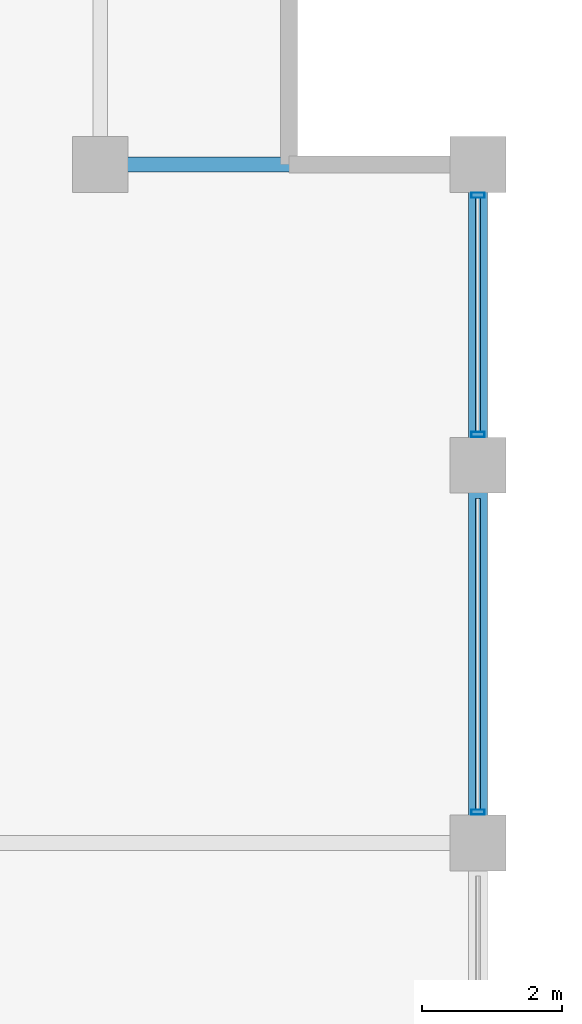
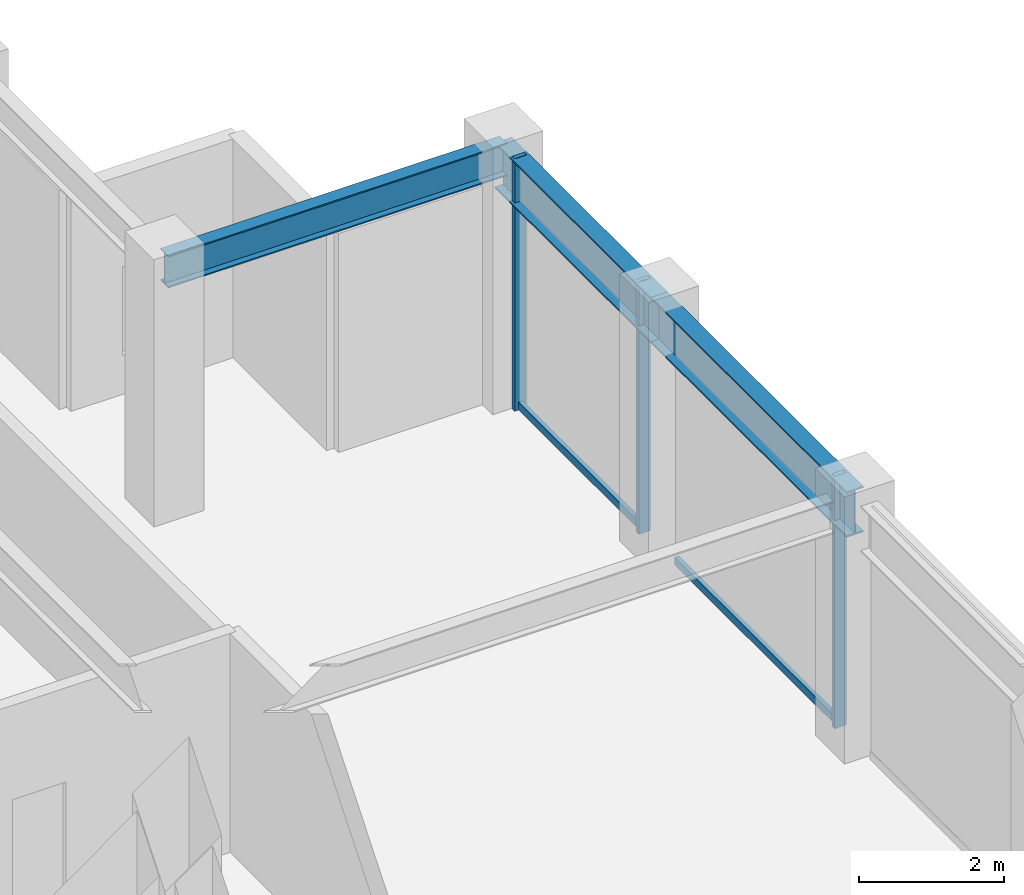
# One storey, part 21 of 28: 5 members, 3 beams, 1 element without a shape of its own.
"""IFC4 building model written with IfcOpenShell, lengths in metres."""

from ifc_helpers import new_model, si_unit, direction, frame, origin, origin_2d, place, context, subcontext, project, spatial, hollow_rectangle, i_section, extrude, material, layer, layer_set, material_profile, profile_set, type_object, element, aggregate, save


model = new_model("IFC4")

# Units and contexts
model_context = context("Model", 3, precision=1e-05, world=origin(), true_north=direction((0.0, 1.0)))
body_context = subcontext(model_context, "Body", "Model", "MODEL_VIEW")
ifc_project = project(units=[si_unit("LENGTHUNIT", "METRE"), si_unit("AREAUNIT", "SQUARE_METRE"), si_unit("VOLUMEUNIT", "CUBIC_METRE"), si_unit("PLANEANGLEUNIT", "RADIAN"), si_unit("MASSUNIT", "GRAM", prefix="KILO")], contexts=[model_context])

# Site, building, storey
site_placement = place(None, origin())
site = spatial("IfcSite", under=ifc_project, at=site_placement, CompositionType="ELEMENT")
building_placement = place(site_placement, origin())
building = spatial("IfcBuilding", under=site, at=building_placement, Name="Surkhivell Harbour Commons", CompositionType="ELEMENT")
storey_placement = place(building_placement, frame((0.0, 0.0, 249.75)))
storey = spatial("IfcBuildingStorey", under=building, at=storey_placement, Name="L65", CompositionType="ELEMENT", Elevation=249.75)

# Beams
ifc_material_1 = material(Name="Steel S355", Category="steel")
ifc_material_profile_1 = material_profile(ifc_material_1, i_section(OverallWidth=0.2119140625, OverallDepth=0.5439453125, WebThickness=0.0126953125, FlangeThickness=0.021240234375, at=origin_2d()), Name="UB533x210x122")
ifc_profile_set_1 = profile_set([ifc_material_profile_1], Name="Steel S355")
beam_type_1 = type_object("IfcBeamType", Name="BM-GRD-533A", PredefinedType="BEAM", material=ifc_profile_set_1)
beam_1_placement = place(storey_placement, frame((16.199951171875, 20.5, 3.97802734375), z_axis=(1.0, 0.0, 0.0), x_axis=(0.0, 1.0, 0.0)))
element("IfcBeam", 1, at=beam_1_placement, inside=storey, type_object=beam_type_1, Name="L65 Floor Girder (16.2,20.5)", PredefinedType="BEAM", context=body_context, shape_type="SweptSolid", body=[
    extrude(i_section(OverallWidth=0.2119140625, OverallDepth=0.5439453125, WebThickness=0.0126953125, FlangeThickness=0.021240234375, at=origin_2d()), origin(), (0.0, 0.0, 1.0), 5.400146484375),
])
ifc_material_profile_2 = material_profile(ifc_material_1, i_section(OverallWidth=0.26806640625, OverallDepth=0.77001953125, WebThickness=0.015625, FlangeThickness=0.025390625, at=origin_2d()), Name="UB762x267x197")
ifc_profile_set_2 = profile_set([ifc_material_profile_2], Name="Steel S355")
beam_type_2 = type_object("IfcBeamType", Name="BM-SPN-762", PredefinedType="SPANDREL", material=ifc_profile_set_2)
beam_2_placement = place(storey_placement, frame((21.60009765625, 10.800048828125, 3.864990234375), z_axis=(0.0, 1.0, 0.0), x_axis=(-1.0, 0.0, 0.0)))
element("IfcBeam", 2, at=beam_2_placement, inside=storey, type_object=beam_type_2, Name="L65 Tube Spandrel (21.6,10.8)", PredefinedType="SPANDREL", context=body_context, shape_type="SweptSolid", body=[
    extrude(i_section(OverallWidth=0.26806640625, OverallDepth=0.77001953125, WebThickness=0.015625, FlangeThickness=0.025390625, at=origin_2d()), origin(), (0.0, 0.0, 1.0), 5.39990234375),
])
beam_3_placement = place(storey_placement, frame((21.60009765625, 16.199951171875, 3.864990234375), z_axis=(0.0, 1.0, 0.0), x_axis=(-1.0, 0.0, 0.0)))
element("IfcBeam", 3, at=beam_3_placement, inside=storey, type_object=beam_type_2, Name="L65 Tube Spandrel (21.6,16.2)", PredefinedType="SPANDREL", context=body_context, shape_type="SweptSolid", body=[
    extrude(i_section(OverallWidth=0.26806640625, OverallDepth=0.77001953125, WebThickness=0.015625, FlangeThickness=0.025390625, at=origin_2d()), origin(), (0.0, 0.0, 1.0), 4.300048828125),
])

# Curtain wall, members
ifc_material_2 = material(Name="Anodised pale-metal aluminium and insulated glazing", Category="aluminium")
ifc_layer = layer(ifc_material_2, 0.18994140625)
ifc_layer_set = layer_set([ifc_layer], Name="Anodised pale-metal aluminium and insulated glazing")
curtain_wall_type = type_object("IfcCurtainWallType", Name="CW-SYS-Z3", PredefinedType="NOTDEFINED", material=ifc_layer_set)
curtain_wall_placement = place(storey_placement, origin())
curtain_wall = element("IfcCurtainWall", 4, at=curtain_wall_placement, inside=storey, type_object=curtain_wall_type, Name="L65 Curtain Wall CW-L65-E02", PredefinedType="NOTDEFINED")
ifc_material_3 = material(Name="Anodised pale-metal aluminium alloy 6063-T6", Category="aluminium")
ifc_material_profile_3 = material_profile(ifc_material_3, hollow_rectangle(XDim=0.074951171875, YDim=0.18994140625, WallThickness=0.00390625, at=origin_2d()), Name="ALU-MULL-75x190")
ifc_profile_set_3 = profile_set([ifc_material_profile_3], Name="Anodised pale-metal aluminium alloy 6063-T6")
member_type_1 = type_object("IfcMemberType", Name="CWM-190", PredefinedType="MULLION", material=ifc_profile_set_3)
member_1_placement = place(storey_placement, frame((21.60009765625, 11.239501953125, 0.0), z_axis=(0.0, 0.0, 1.0), x_axis=(0.0, 1.0, 0.0)))
member_1 = element("IfcMember", 5, at=member_1_placement, type_object=member_type_1, Name="CW-Z3 mullion 4", PredefinedType="MULLION", context=body_context, shape_type="SweptSolid", body=[
    extrude(hollow_rectangle(XDim=0.074951171875, YDim=0.18994140625, WallThickness=0.00390625, at=origin_2d()), origin(), (0.0, 0.0, 1.0), 4.25),
])
member_2_placement = place(storey_placement, frame((21.60009765625, 16.639404296875, 0.0), z_axis=(0.0, 0.0, 1.0), x_axis=(0.0, 1.0, 0.0)))
member_2 = element("IfcMember", 6, at=member_2_placement, type_object=member_type_1, Name="CW-Z3 mullion 5", PredefinedType="MULLION", context=body_context, shape_type="SweptSolid", body=[
    extrude(hollow_rectangle(XDim=0.074951171875, YDim=0.18994140625, WallThickness=0.00390625, at=origin_2d()), origin(), (0.0, 0.0, 1.0), 4.25),
])
member_3_placement = place(storey_placement, frame((21.60009765625, 20.060546875, 0.0), z_axis=(0.0, 0.0, 1.0), x_axis=(0.0, 1.0, 0.0)))
member_3 = element("IfcMember", 7, at=member_3_placement, type_object=member_type_1, Name="CW-Z3 mullion 6", PredefinedType="MULLION", context=body_context, shape_type="SweptSolid", body=[
    extrude(hollow_rectangle(XDim=0.074951171875, YDim=0.18994140625, WallThickness=0.00390625, at=origin_2d()), origin(), (0.0, 0.0, 1.0), 4.25),
])
ifc_material_4 = material(Name="Champagne anodised aluminium alloy 6063-T6", Category="aluminium")
ifc_material_profile_4 = material_profile(ifc_material_4, hollow_rectangle(XDim=0.070068359375, YDim=0.1298828125, WallThickness=0.00341796875, at=origin_2d()), Name="ALU-TRAN-70x130")
ifc_profile_set_4 = profile_set([ifc_material_profile_4], Name="Champagne anodised aluminium alloy 6063-T6")
member_type_2 = type_object("IfcMemberType", Name="CWT-130", PredefinedType="USERDEFINED", material=ifc_profile_set_4)
member_4_placement = place(storey_placement, frame((21.60009765625, 11.277099609375, 0.06494140625), z_axis=(0.0, 1.0, 0.0), x_axis=(-1.0, 0.0, 0.0)))
member_4 = element("IfcMember", 8, at=member_4_placement, type_object=member_type_2, Name="CW-Z3 transom 4.1", ObjectType="TRANSOM", PredefinedType="USERDEFINED", context=body_context, shape_type="SweptSolid", body=[
    extrude(hollow_rectangle(XDim=0.070068359375, YDim=0.1298828125, WallThickness=0.00341796875, at=origin_2d()), origin(), (0.0, 0.0, 1.0), 4.44580078125),
])
member_5_placement = place(storey_placement, frame((21.60009765625, 16.677001953125, 0.06494140625), z_axis=(0.0, 1.0, 0.0), x_axis=(-1.0, 0.0, 0.0)))
member_5 = element("IfcMember", 9, at=member_5_placement, type_object=member_type_2, Name="CW-Z3 transom 5.1", ObjectType="TRANSOM", PredefinedType="USERDEFINED", context=body_context, shape_type="SweptSolid", body=[
    extrude(hollow_rectangle(XDim=0.070068359375, YDim=0.1298828125, WallThickness=0.00341796875, at=origin_2d()), origin(), (0.0, 0.0, 1.0), 3.345947265625),
])
aggregate(curtain_wall, [member_1, member_4, member_2, member_3, member_5])

save(model, "model.ifc")
